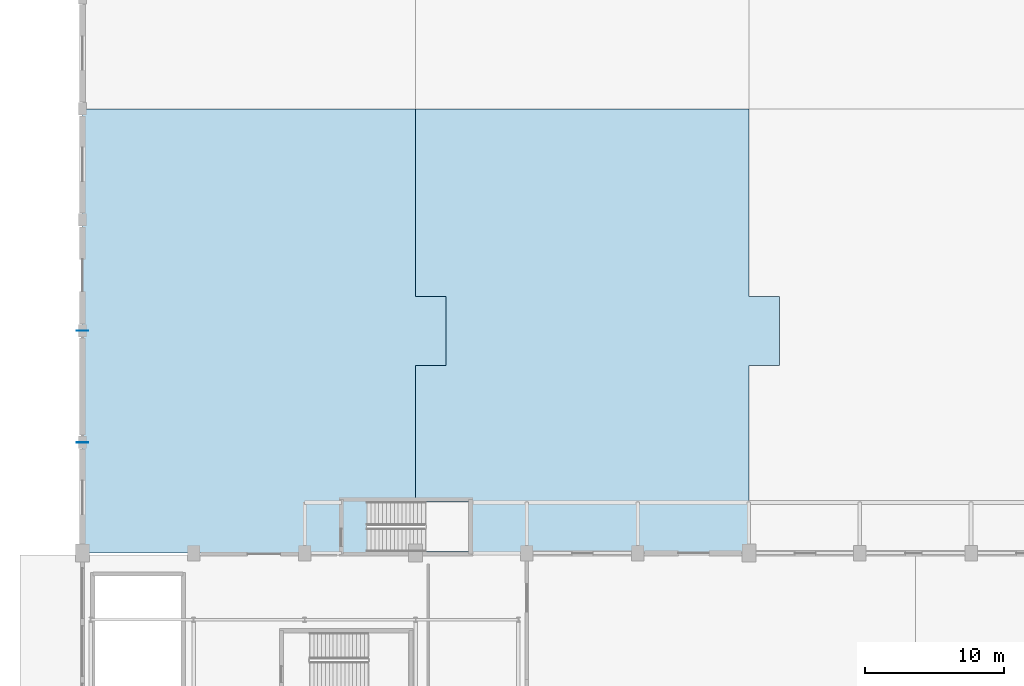
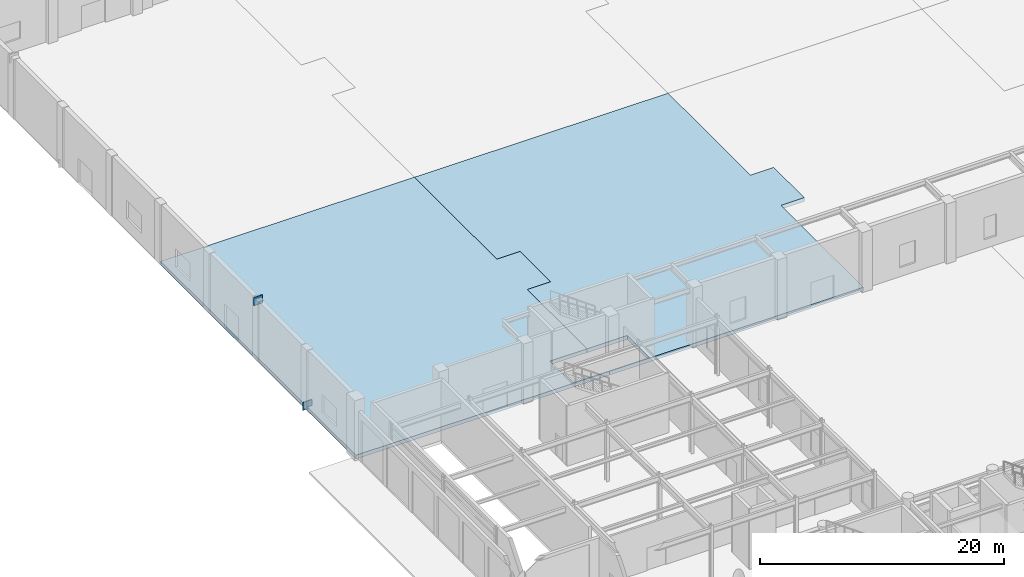
# One storey, part 23 of 49: 2 plates, 2 slabs.
"""IFC4 building model written with IfcOpenShell, lengths in metres."""

from ifc_helpers import new_model, si_unit, direction, frame, origin, origin_2d, place, context, subcontext, project, spatial, polyline, rectangle, outline, extrude, material, layer, layer_set, type_object, element, save


model = new_model("IFC4")

# Units and contexts
model_context = context("Model", 3, precision=1e-05, world=origin(), true_north=direction((0.0, 1.0)))
body_context = subcontext(model_context, "Body", "Model", "MODEL_VIEW")
ifc_project = project(units=[si_unit("LENGTHUNIT", "METRE"), si_unit("AREAUNIT", "SQUARE_METRE"), si_unit("VOLUMEUNIT", "CUBIC_METRE"), si_unit("PLANEANGLEUNIT", "RADIAN"), si_unit("MASSUNIT", "GRAM", prefix="KILO")], contexts=[model_context])

# Site, building, storey
site_placement = place(None, origin())
site = spatial("IfcSite", under=ifc_project, at=site_placement, CompositionType="ELEMENT")
building_placement = place(site_placement, origin())
building = spatial("IfcBuilding", under=site, at=building_placement, Name="Tlacozan Convention Centre", CompositionType="ELEMENT")
storey_placement = place(building_placement, origin())
storey = spatial("IfcBuildingStorey", under=building, at=storey_placement, Name="L00", CompositionType="ELEMENT", Elevation=0.0)

# Plates
ifc_material_1 = material(Name="Steel ASTM A572 Grade 50", Category="steel")
ifc_layer_1 = layer(ifc_material_1, 0.034912109375)
ifc_layer_set_1 = layer_set([ifc_layer_1], Name="Steel ASTM A572 Grade 50")
plate_type = type_object("IfcPlateType", Name="Arch Crown Splice Gusset Plate", PredefinedType="SHEET", material=ifc_layer_set_1)
for number, where, z_axis, x_axis, name in (
    (1, (0.0, 69.982421875, -0.21240234375), (0.0, 0.0, 1.0), (0.0, 1.0, 0.0), "L00 Gusset Cap Plate 957"),
    (2, (0.0, 78.017578125, 5.412109375), (0.0, 0.0, 1.0), (0.0, 1.0, 0.0), "L00 Gusset Cap Plate 958"),
):
    element("IfcPlate", number, at=place(storey_placement, frame(where, z_axis=z_axis, x_axis=x_axis)), inside=storey, type_object=plate_type, Name=name, PredefinedType="SHEET", context=body_context, shape_type="SweptSolid", body=[
        extrude(rectangle(XDim=0.034912109375, YDim=0.85009765625, at=origin_2d()), origin(), (0.0, 0.0, 1.0), 0.800048828125),
    ])

# Slabs
ifc_material_2 = material(Name="Concrete C40/50", Category="concrete")
ifc_layer_2 = layer(ifc_material_2, 0.3798828125)
ifc_layer_set_2 = layer_set([ifc_layer_2], Name="Concrete C40/50")
slab_type = type_object("IfcSlabType", Name="Heavy Exhibition Floor Slab 380", PredefinedType="FLOOR", material=ifc_layer_set_2)
slab_1_placement = place(storey_placement, frame((0.0, 0.0, -0.3798828125)))
element("IfcSlab", 3, at=slab_1_placement, inside=storey, type_object=slab_type, Name="L00 Heavy Exhibition Floor Slab 380 30", PredefinedType="FLOOR", context=body_context, shape_type="SweptSolid", body=[
    extrude(outline(polyline([(0.0, 62.0), (0.0, 94.0), (24.0, 94.0), (24.0, 80.5), (26.199951171875, 80.5), (26.199951171875, 75.5), (24.0, 75.5), (24.0, 65.699951171875), (20.5, 65.699951171875), (20.5, 62.10009765625), (24.0, 62.10009765625), (24.0, 62.0), (0.0, 62.0)])), origin(), (0.0, 0.0, 1.0), 0.3798828125),
])
slab_2_placement = place(storey_placement, frame((0.0, 0.0, -0.3798828125)))
element("IfcSlab", 4, at=slab_2_placement, inside=storey, type_object=slab_type, Name="L00 Heavy Exhibition Floor Slab 380 32", PredefinedType="FLOOR", context=body_context, shape_type="SweptSolid", body=[
    extrude(outline(polyline([(24.0, 62.10009765625), (27.800048828125, 62.10009765625), (27.800048828125, 65.699951171875), (24.0, 65.699951171875), (24.0, 75.5), (26.199951171875, 75.5), (26.199951171875, 80.5), (24.0, 80.5), (24.0, 94.0), (48.0, 94.0), (48.0, 80.5), (50.199951171875, 80.5), (50.199951171875, 75.5), (48.0, 75.5), (48.0, 62.0), (24.0, 62.0), (24.0, 62.10009765625)])), origin(), (0.0, 0.0, 1.0), 0.3798828125),
])

save(model, "model.ifc")
